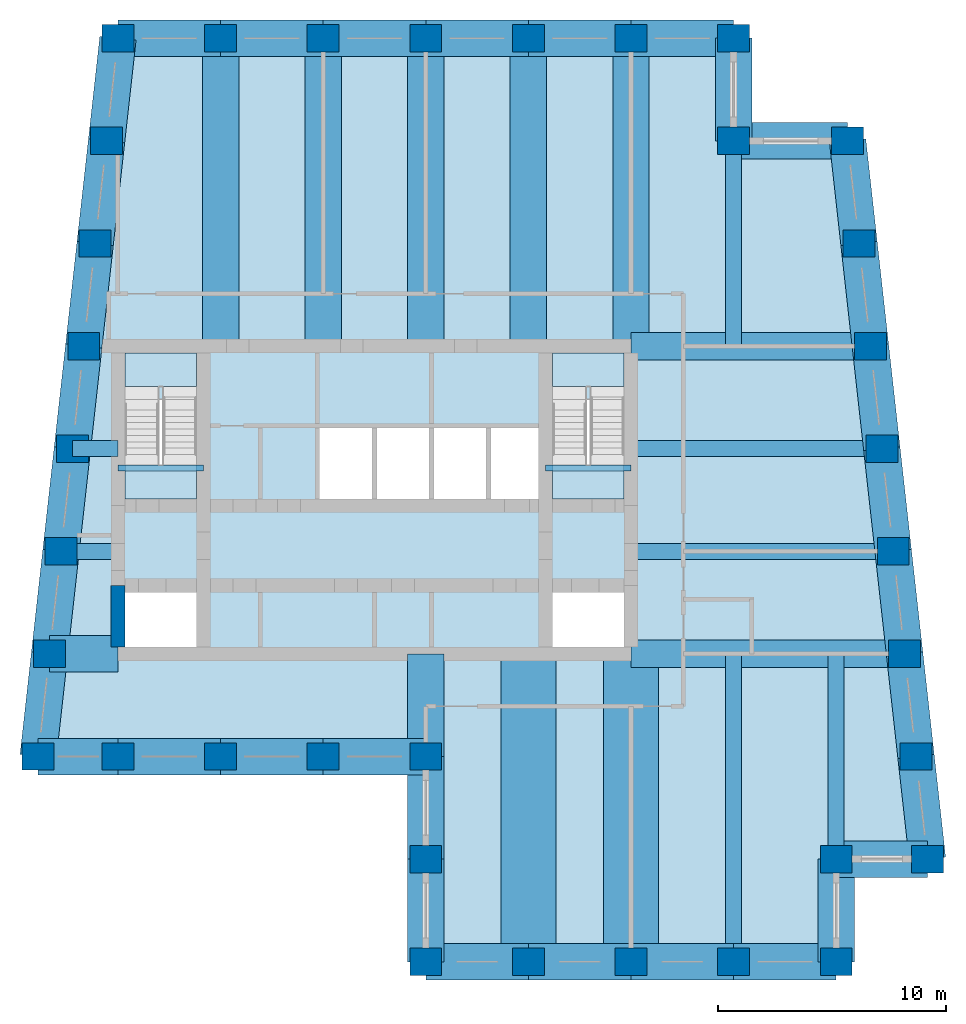
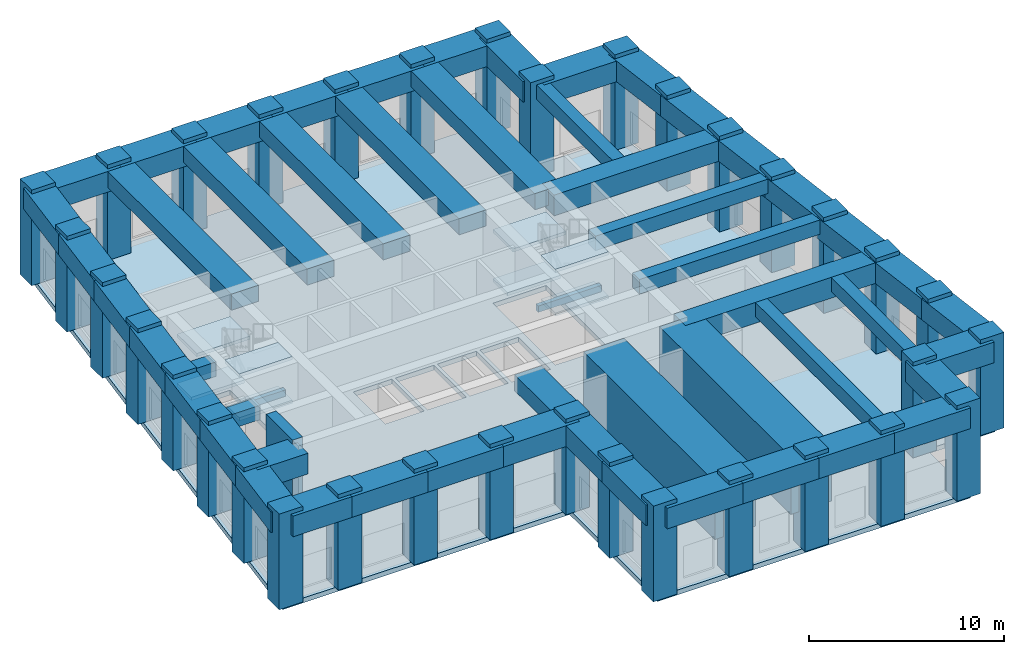
# One storey, part 1 of 7: 54 beams, 34 columns, 9 slabs, 1 wall, 2 elements without a shape of their own.
"""IFC4 building model written with IfcOpenShell, lengths in metres."""

from ifc_helpers import new_model, si_unit, direction, frame, frame_2d, origin, origin_2d, place, context, subcontext, project, spatial, polyline, rectangle, outline, extrude, material, layer, layer_set, material_profile, profile_set, type_object, element, aggregate, save


model = new_model("IFC4")

# Units and contexts
model_context = context("Model", 3, precision=1e-05, world=origin(), true_north=direction((0.0, 1.0)))
body_context = subcontext(model_context, "Body", "Model", "MODEL_VIEW")
ifc_project = project(units=[si_unit("LENGTHUNIT", "METRE"), si_unit("AREAUNIT", "SQUARE_METRE"), si_unit("VOLUMEUNIT", "CUBIC_METRE"), si_unit("PLANEANGLEUNIT", "RADIAN"), si_unit("MASSUNIT", "GRAM", prefix="KILO")], contexts=[model_context])

# Site, building, storey
site_placement = place(None, origin())
site = spatial("IfcSite", under=ifc_project, at=site_placement, CompositionType="ELEMENT")
building_placement = place(site_placement, origin())
building = spatial("IfcBuilding", under=site, at=building_placement, Name="Kilele Tower Hotel", CompositionType="ELEMENT")
storey_placement = place(building_placement, frame((0.0, 0.0, 244.699951171875)))
storey = spatial("IfcBuildingStorey", under=building, at=storey_placement, Name="L63", CompositionType="ELEMENT", Elevation=244.699951171875)

# Columns
ifc_material_1 = material(Name="Concrete C60/75", Category="concrete")
ifc_material_profile_1 = material_profile(ifc_material_1, rectangle(XDim=1.39990234375, YDim=1.199951171875, at=origin_2d()))
ifc_profile_set_1 = profile_set([ifc_material_profile_1], Name="Concrete C60/75")
column_type = type_object("IfcColumnType", Name="Tube column RC 1400x1200 C60/75", PredefinedType="COLUMN", material=ifc_profile_set_1)
for number, where, z_axis, x_axis, name in (
    (1, (10.0, 9.0, 0.0), (0.0, 0.0, 1.0), (1.0, 0.0, 0.0), "Column TC5 L63"),
    (2, (13.5, 9.0, 0.0), (0.0, 0.0, 1.0), (1.0, 0.0, 0.0), "Column TC5 L63"),
    (3, (18.0, 9.0, 0.0), (0.0, 0.0, 1.0), (1.0, 0.0, 0.0), "Column TC5 L63"),
    (4, (22.5, 9.0, 0.0), (0.0, 0.0, 1.0), (1.0, 0.0, 0.0), "Column TC5 L63"),
    (5, (27.0, 9.0, 0.0), (0.0, 0.0, 1.0), (1.0, 0.0, 0.0), "Column TC5 L63"),
    (6, (27.0, 4.5, 0.0), (0.0, 0.0, 1.0), (1.0, 0.0, 0.0), "Column TC5 L63"),
    (7, (27.0, 0.0, 0.0), (0.0, 0.0, 1.0), (1.0, 0.0, 0.0), "Column TC5 L63"),
    (8, (31.5, 0.0, 0.0), (0.0, 0.0, 1.0), (1.0, 0.0, 0.0), "Column TC5 L63"),
    (9, (36.0, 0.0, 0.0), (0.0, 0.0, 1.0), (1.0, 0.0, 0.0), "Column TC5 L63"),
    (10, (40.5, 0.0, 0.0), (0.0, 0.0, 1.0), (1.0, 0.0, 0.0), "Column TC5 L63"),
    (11, (45.0, 0.0, 0.0), (0.0, 0.0, 1.0), (1.0, 0.0, 0.0), "Column TC5 L63"),
    (12, (45.0, 4.5, 0.0), (0.0, 0.0, 1.0), (1.0, 0.0, 0.0), "Column TC5 L63"),
    (13, (49.0, 4.5, 0.0), (0.0, 0.0, 1.0), (1.0, 0.0, 0.0), "Column TC5 L63"),
    (14, (48.5, 9.0, 0.0), (0.0, 0.0, 1.0), (1.0, 0.0, 0.0), "Column TC5 L63"),
    (15, (48.0, 13.5, 0.0), (0.0, 0.0, 1.0), (1.0, 0.0, 0.0), "Column TC5 L63"),
    (16, (47.5, 18.0, 0.0), (0.0, 0.0, 1.0), (1.0, 0.0, 0.0), "Column TC5 L63"),
    (17, (47.0, 22.5, 0.0), (0.0, 0.0, 1.0), (1.0, 0.0, 0.0), "Column TC5 L63"),
    (18, (46.5, 27.0, 0.0), (0.0, 0.0, 1.0), (1.0, 0.0, 0.0), "Column TC5 L63"),
    (19, (46.0, 31.5, 0.0), (0.0, 0.0, 1.0), (1.0, 0.0, 0.0), "Column TC5 L63"),
    (20, (45.5, 36.0, 0.0), (0.0, 0.0, 1.0), (1.0, 0.0, 0.0), "Column TC5 L63"),
    (21, (40.5, 36.0, 0.0), (0.0, 0.0, 1.0), (1.0, 0.0, 0.0), "Column TC5 L63"),
    (22, (40.5, 40.5, 0.0), (0.0, 0.0, 1.0), (1.0, 0.0, 0.0), "Column TC5 L63"),
    (23, (36.0, 40.5, 0.0), (0.0, 0.0, 1.0), (1.0, 0.0, 0.0), "Column TC5 L63"),
    (24, (31.5, 40.5, 0.0), (0.0, 0.0, 1.0), (1.0, 0.0, 0.0), "Column TC5 L63"),
    (25, (27.0, 40.5, 0.0), (0.0, 0.0, 1.0), (1.0, 0.0, 0.0), "Column TC5 L63"),
    (26, (22.5, 40.5, 0.0), (0.0, 0.0, 1.0), (1.0, 0.0, 0.0), "Column TC5 L63"),
    (27, (18.0, 40.5, 0.0), (0.0, 0.0, 1.0), (1.0, 0.0, 0.0), "Column TC5 L63"),
    (28, (13.5, 40.5, 0.0), (0.0, 0.0, 1.0), (1.0, 0.0, 0.0), "Column TC5 L63"),
    (29, (13.0, 36.0, 0.0), (0.0, 0.0, 1.0), (1.0, 0.0, 0.0), "Column TC5 L63"),
    (30, (12.5, 31.5, 0.0), (0.0, 0.0, 1.0), (1.0, 0.0, 0.0), "Column TC5 L63"),
    (31, (12.0, 27.0, 0.0), (0.0, 0.0, 1.0), (1.0, 0.0, 0.0), "Column TC5 L63"),
    (32, (11.5, 22.5, 0.0), (0.0, 0.0, 1.0), (1.0, 0.0, 0.0), "Column TC5 L63"),
    (33, (11.0, 18.0, 0.0), (0.0, 0.0, 1.0), (1.0, 0.0, 0.0), "Column TC5 L63"),
    (34, (10.5, 13.5, 0.0), (0.0, 0.0, 1.0), (1.0, 0.0, 0.0), "Column TC5 L63"),
):
    element("IfcColumn", number, at=place(storey_placement, frame(where, z_axis=z_axis, x_axis=x_axis)), inside=storey, type_object=column_type, Name=name, PredefinedType="COLUMN", context=body_context, shape_type="SweptSolid", body=[
        extrude(rectangle(XDim=1.39990234375, YDim=1.199951171875, at=origin_2d()), origin(), (0.0, 0.0, 1.0), 6.0),
    ])

# Beams
ifc_material_2 = material(Name="Concrete C60/75", Category="concrete")
ifc_material_profile_2 = material_profile(ifc_material_2, rectangle(XDim=1.60009765625, YDim=1.0, at=origin_2d()))
ifc_profile_set_2 = profile_set([ifc_material_profile_2], Name="Concrete C60/75")
beam_type_1 = type_object("IfcBeamType", Name="Beam RC 1600x1000 C60/75", PredefinedType="BEAM", material=ifc_profile_set_2)
for number, where, z_axis, x_axis, name in (
    (35, (36.0, 40.5, 5.25), (0.0, -1.0, 0.0), (1.0, 0.0, 0.0), "Beam BC1 level L64"),
    (36, (31.5, 40.5, 5.25), (0.0, -1.0, 0.0), (1.0, 0.0, 0.0), "Beam BC1 level L64"),
    (37, (27.0, 40.5, 5.25), (0.0, -1.0, 0.0), (1.0, 0.0, 0.0), "Beam BC1 level L64"),
    (38, (22.5, 40.5, 5.25), (0.0, -1.0, 0.0), (1.0, 0.0, 0.0), "Beam BC1 level L64"),
    (39, (18.0, 40.5, 5.25), (0.0, -1.0, 0.0), (1.0, 0.0, 0.0), "Beam BC1 level L64"),
):
    element("IfcBeam", number, at=place(storey_placement, frame(where, z_axis=z_axis, x_axis=x_axis)), inside=storey, type_object=beam_type_1, Name=name, PredefinedType="BEAM", context=body_context, shape_type="SweptSolid", body=[
        extrude(rectangle(XDim=1.60009765625, YDim=1.0, at=origin_2d()), origin(), (0.0, 0.0, 1.0), 13.5),
    ])
ifc_material_3 = material(Name="Concrete C60/75", Category="concrete")
ifc_material_profile_3 = material_profile(ifc_material_3, rectangle(XDim=1.60009765625, YDim=1.0, at=origin_2d()))
ifc_profile_set_3 = profile_set([ifc_material_profile_3], Name="Concrete C60/75")
beam_type_2 = type_object("IfcBeamType", Name="Beam RC 1600x1000 C60/75 short span", PredefinedType="BEAM", material=ifc_profile_set_3)
beam_1_placement = place(storey_placement, frame((27.0, 9.0, 5.25), z_axis=(0.0, 1.0, 0.0), x_axis=(-1.0, 0.0, 0.0)))
element("IfcBeam", 40, at=beam_1_placement, inside=storey, type_object=beam_type_2, Name="Beam BC2 level L64", PredefinedType="BEAM", context=body_context, shape_type="SweptSolid", body=[
    extrude(rectangle(XDim=1.60009765625, YDim=1.0, at=origin_2d()), origin(), (0.0, 0.0, 1.0), 4.5),
])
ifc_material_4 = material(Name="Concrete C60/75", Category="concrete")
ifc_material_profile_4 = material_profile(ifc_material_4, rectangle(XDim=0.699951171875, YDim=0.89990234375, at=origin_2d()))
ifc_profile_set_4 = profile_set([ifc_material_profile_4], Name="Concrete C60/75")
beam_type_3 = type_object("IfcBeamType", Name="Beam RC 700x900 C60/75", PredefinedType="BEAM", material=ifc_profile_set_4)
beam_2_placement = place(storey_placement, frame((40.5, 0.0, 5.300048828125), z_axis=(0.0, 1.0, 0.0), x_axis=(-1.0, 0.0, 0.0)))
element("IfcBeam", 41, at=beam_2_placement, inside=storey, type_object=beam_type_3, Name="Beam B1 level L64", PredefinedType="BEAM", context=body_context, shape_type="SweptSolid", body=[
    extrude(rectangle(XDim=0.699951171875, YDim=0.89990234375, at=origin_2d()), origin(), (0.0, 0.0, 1.0), 13.5),
])
ifc_material_5 = material(Name="Concrete C60/75", Category="concrete")
ifc_material_profile_5 = material_profile(ifc_material_5, rectangle(XDim=0.699951171875, YDim=0.89990234375, at=origin_2d()))
ifc_profile_set_5 = profile_set([ifc_material_profile_5], Name="Concrete C60/75")
beam_type_4 = type_object("IfcBeamType", Name="Beam RC 700x900 C60/75 mid span", PredefinedType="BEAM", material=ifc_profile_set_5)
beam_3_placement = place(storey_placement, frame((45.0, 4.5, 5.300048828125), z_axis=(0.0, 1.0, 0.0), x_axis=(-1.0, 0.0, 0.0)))
element("IfcBeam", 42, at=beam_3_placement, inside=storey, type_object=beam_type_4, Name="Beam B2 level L64", PredefinedType="BEAM", context=body_context, shape_type="SweptSolid", body=[
    extrude(rectangle(XDim=0.699951171875, YDim=0.89990234375, at=origin_2d()), origin(), (0.0, 0.0, 1.0), 9.0),
])
beam_4_placement = place(storey_placement, frame((47.5, 18.0, 5.300048828125), z_axis=(-1.0, 0.0, 0.0), x_axis=(0.0, -1.0, 0.0)))
element("IfcBeam", 43, at=beam_4_placement, inside=storey, type_object=beam_type_4, Name="Beam B2 level L64", PredefinedType="BEAM", context=body_context, shape_type="SweptSolid", body=[
    extrude(rectangle(XDim=0.699951171875, YDim=0.89990234375, at=origin_2d()), origin(), (0.0, 0.0, 1.0), 11.5),
])
beam_5_placement = place(storey_placement, frame((47.0, 22.5, 5.300048828125), z_axis=(-1.0, 0.0, 0.0), x_axis=(0.0, -1.0, 0.0)))
element("IfcBeam", 44, at=beam_5_placement, inside=storey, type_object=beam_type_4, Name="Beam B2 level L64", PredefinedType="BEAM", context=body_context, shape_type="SweptSolid", body=[
    extrude(rectangle(XDim=0.699951171875, YDim=0.89990234375, at=origin_2d()), origin(), (0.0, 0.0, 1.0), 11.0),
])
beam_6_placement = place(storey_placement, frame((40.5, 36.0, 5.300048828125), z_axis=(0.0, -1.0, 0.0), x_axis=(1.0, 0.0, 0.0)))
element("IfcBeam", 45, at=beam_6_placement, inside=storey, type_object=beam_type_4, Name="Beam B2 level L64", PredefinedType="BEAM", context=body_context, shape_type="SweptSolid", body=[
    extrude(rectangle(XDim=0.699951171875, YDim=0.89990234375, at=origin_2d()), origin(), (0.0, 0.0, 1.0), 9.0),
])
ifc_material_6 = material(Name="Concrete C60/75", Category="concrete")
ifc_material_profile_6 = material_profile(ifc_material_6, rectangle(XDim=0.699951171875, YDim=0.89990234375, at=origin_2d()))
ifc_profile_set_6 = profile_set([ifc_material_profile_6], Name="Concrete C60/75")
beam_type_5 = type_object("IfcBeamType", Name="Beam RC 700x900 C60/75 short span", PredefinedType="BEAM", material=ifc_profile_set_6)
beam_7_placement = place(storey_placement, frame((11.5, 22.5, 5.300048828125), z_axis=(1.0, 0.0, 0.0), x_axis=(0.0, 1.0, 0.0)))
element("IfcBeam", 46, at=beam_7_placement, inside=storey, type_object=beam_type_5, Name="Beam B3 level L64", PredefinedType="BEAM", context=body_context, shape_type="SweptSolid", body=[
    extrude(rectangle(XDim=0.699951171875, YDim=0.89990234375, at=origin_2d()), origin(), (0.0, 0.0, 1.0), 2.0),
])
beam_8_placement = place(storey_placement, frame((11.0, 18.0, 5.300048828125), z_axis=(1.0, 0.0, 0.0), x_axis=(0.0, 1.0, 0.0)))
element("IfcBeam", 47, at=beam_8_placement, inside=storey, type_object=beam_type_5, Name="Beam B3 level L64", PredefinedType="BEAM", context=body_context, shape_type="SweptSolid", body=[
    extrude(rectangle(XDim=0.699951171875, YDim=0.89990234375, at=origin_2d()), origin(), (0.0, 0.0, 1.0), 2.5),
])
ifc_material_7 = material(Name="Concrete C60/75", Category="concrete")
ifc_material_profile_7 = material_profile(ifc_material_7, rectangle(XDim=1.60009765625, YDim=1.300048828125, at=origin_2d()))
ifc_profile_set_7 = profile_set([ifc_material_profile_7], Name="Concrete C60/75")
beam_type_6 = type_object("IfcBeamType", Name="Coupling girder RC 1600x1300 C60/75", PredefinedType="BEAM", material=ifc_profile_set_7)
beam_9_placement = place(storey_placement, frame((10.5, 13.5, 5.10009765625), z_axis=(1.0, 0.0, 0.0), x_axis=(0.0, 1.0, 0.0)))
element("IfcBeam", 48, at=beam_9_placement, inside=storey, type_object=beam_type_6, Name="Coupling girder G2 level L64", PredefinedType="BEAM", context=body_context, shape_type="SweptSolid", body=[
    extrude(rectangle(XDim=1.60009765625, YDim=1.300048828125, at=origin_2d()), origin(), (0.0, 0.0, 1.0), 3.0),
])
ifc_material_8 = material(Name="Concrete C60/75", Category="concrete")
ifc_material_profile_8 = material_profile(ifc_material_8, rectangle(XDim=1.199951171875, YDim=1.300048828125, at=origin_2d()))
ifc_profile_set_8 = profile_set([ifc_material_profile_8], Name="Concrete C60/75")
beam_type_7 = type_object("IfcBeamType", Name="Girder RC 1200x1300 C60/75", PredefinedType="BEAM", material=ifc_profile_set_8)
beam_10_placement = place(storey_placement, frame((48.0, 13.5, 5.10009765625), z_axis=(-1.0, 0.0, 0.0), x_axis=(0.0, -1.0, 0.0)))
element("IfcBeam", 49, at=beam_10_placement, inside=storey, type_object=beam_type_7, Name="Girder G1 level L64", PredefinedType="BEAM", context=body_context, shape_type="SweptSolid", body=[
    extrude(rectangle(XDim=1.199951171875, YDim=1.300048828125, at=origin_2d()), origin(), (0.0, 0.0, 1.0), 12.0),
])
ifc_material_9 = material(Name="Concrete C60/75", Category="concrete")
ifc_material_profile_9 = material_profile(ifc_material_9, rectangle(XDim=1.199951171875, YDim=1.300048828125, at=origin_2d()))
ifc_profile_set_9 = profile_set([ifc_material_profile_9], Name="Concrete C60/75")
beam_type_8 = type_object("IfcBeamType", Name="Girder RC 1200x1300 C60/75 mid span", PredefinedType="BEAM", material=ifc_profile_set_9)
beam_11_placement = place(storey_placement, frame((46.5, 27.0, 5.10009765625), z_axis=(-1.0, 0.0, 0.0), x_axis=(0.0, -1.0, 0.0)))
element("IfcBeam", 50, at=beam_11_placement, inside=storey, type_object=beam_type_8, Name="Girder G3 level L64", PredefinedType="BEAM", context=body_context, shape_type="SweptSolid", body=[
    extrude(rectangle(XDim=1.199951171875, YDim=1.300048828125, at=origin_2d()), origin(), (0.0, 0.0, 1.0), 10.5),
])
ifc_material_10 = material(Name="Concrete C40/50", Category="concrete")
ifc_material_profile_10 = material_profile(ifc_material_10, rectangle(XDim=0.25, YDim=0.39990234375, at=origin_2d()))
ifc_profile_set_10 = profile_set([ifc_material_profile_10], Name="Concrete C40/50")
beam_type_9 = type_object("IfcBeamType", Name="Landing beam RC 250x400 C40/50", PredefinedType="BEAM", material=ifc_profile_set_10)
for number, where, z_axis, x_axis, name in (
    (51, (13.5, 21.64990234375, 2.857177734375), (1.0, 0.0, 0.0), (0.0, 1.0, 0.0), "Landing beam ST1 L63"),
    (52, (32.25, 21.64990234375, 2.857177734375), (1.0, 0.0, 0.0), (0.0, 1.0, 0.0), "Landing beam ST2 L63"),
):
    element("IfcBeam", number, at=place(storey_placement, frame(where, z_axis=z_axis, x_axis=x_axis)), inside=storey, type_object=beam_type_9, Name=name, PredefinedType="BEAM", context=body_context, shape_type="SweptSolid", body=[
        extrude(rectangle(XDim=0.25, YDim=0.39990234375, at=origin_2d()), origin(), (0.0, 0.0, 1.0), 3.75),
    ])
ifc_material_11 = material(Name="Concrete C60/75", Category="concrete")
ifc_material_profile_11 = material_profile(ifc_material_11, rectangle(XDim=1.60009765625, YDim=1.300048828125, at=origin_2d()))
ifc_profile_set_11 = profile_set([ifc_material_profile_11], Name="Concrete C60/75")
beam_type_10 = type_object("IfcBeamType", Name="Spandrel RC 1600x1300 C60/75", PredefinedType="SPANDREL", material=ifc_profile_set_11)
beam_12_placement = place(storey_placement, frame((10.0, 9.0, 5.10009765625), z_axis=(1.0, 0.0, 0.0), x_axis=(0.0, 1.0, 0.0)))
element("IfcBeam", 53, at=beam_12_placement, inside=storey, type_object=beam_type_10, Name="Spandrel SP13 level L64", PredefinedType="SPANDREL", context=body_context, shape_type="SweptSolid", body=[
    extrude(rectangle(XDim=1.60009765625, YDim=1.300048828125, at=origin_2d()), origin(), (0.0, 0.0, 1.0), 3.5),
])
for number, where, z_axis, x_axis, name in (
    (54, (13.5, 9.0, 5.10009765625), (1.0, 0.0, 0.0), (0.0, 1.0, 0.0), "Spandrel SP13 level L64"),
    (55, (18.0, 9.0, 5.10009765625), (1.0, 0.0, 0.0), (0.0, 1.0, 0.0), "Spandrel SP13 level L64"),
    (56, (22.5, 9.0, 5.10009765625), (1.0, 0.0, 0.0), (0.0, 1.0, 0.0), "Spandrel SP13 level L64"),
    (57, (27.0, 9.0, 5.10009765625), (0.0, -1.0, 0.0), (1.0, 0.0, 0.0), "Spandrel SP13 level L64"),
    (58, (27.0, 4.5, 5.10009765625), (0.0, -1.0, 0.0), (1.0, 0.0, 0.0), "Spandrel SP13 level L64"),
    (59, (27.0, 0.0, 5.10009765625), (1.0, 0.0, 0.0), (0.0, 1.0, 0.0), "Spandrel SP13 level L64"),
    (60, (31.5, 0.0, 5.10009765625), (1.0, 0.0, 0.0), (0.0, 1.0, 0.0), "Spandrel SP13 level L64"),
    (61, (36.0, 0.0, 5.10009765625), (1.0, 0.0, 0.0), (0.0, 1.0, 0.0), "Spandrel SP13 level L64"),
    (62, (40.5, 0.0, 5.10009765625), (1.0, 0.0, 0.0), (0.0, 1.0, 0.0), "Spandrel SP13 level L64"),
    (63, (45.0, 0.0, 5.10009765625), (0.0, 1.0, 0.0), (-1.0, 0.0, 0.0), "Spandrel SP13 level L64"),
):
    element("IfcBeam", number, at=place(storey_placement, frame(where, z_axis=z_axis, x_axis=x_axis)), inside=storey, type_object=beam_type_10, Name=name, PredefinedType="SPANDREL", context=body_context, shape_type="SweptSolid", body=[
        extrude(rectangle(XDim=1.60009765625, YDim=1.300048828125, at=origin_2d()), origin(), (0.0, 0.0, 1.0), 4.5),
    ])
beam_13_placement = place(storey_placement, frame((45.0, 4.5, 5.10009765625), z_axis=(1.0, 0.0, 0.0), x_axis=(0.0, 1.0, 0.0)))
element("IfcBeam", 64, at=beam_13_placement, inside=storey, type_object=beam_type_10, Name="Spandrel SP13 level L64", PredefinedType="SPANDREL", context=body_context, shape_type="SweptSolid", body=[
    extrude(rectangle(XDim=1.60009765625, YDim=1.300048828125, at=origin_2d()), origin(), (0.0, 0.0, 1.0), 4.0),
])
for number, where, z_axis, x_axis, name in (
    (65, (49.0, 4.5, 5.10009765625), (-0.110431526075, 0.993883734674, 0.0), (-0.993883734674, -0.110431526075, 0.0), "Spandrel SP13 level L64"),
    (66, (48.5, 9.0, 5.10009765625), (-0.110431526075, 0.993883734674, 0.0), (-0.993883734674, -0.110431526075, 0.0), "Spandrel SP13 level L64"),
    (67, (48.0, 13.5, 5.10009765625), (-0.110431526075, 0.993883734674, 0.0), (-0.993883734674, -0.110431526075, 0.0), "Spandrel SP13 level L64"),
    (68, (47.5, 18.0, 5.10009765625), (-0.110431526075, 0.993883734674, 0.0), (-0.993883734674, -0.110431526075, 0.0), "Spandrel SP13 level L64"),
    (69, (47.0, 22.5, 5.10009765625), (-0.110431526075, 0.993883734674, 0.0), (-0.993883734674, -0.110431526075, 0.0), "Spandrel SP13 level L64"),
    (70, (46.5, 27.0, 5.10009765625), (-0.110431526075, 0.993883734674, 0.0), (-0.993883734674, -0.110431526075, 0.0), "Spandrel SP13 level L64"),
    (71, (46.0, 31.5, 5.10009765625), (-0.110431526075, 0.993883734674, 0.0), (-0.993883734674, -0.110431526075, 0.0), "Spandrel SP13 level L64"),
):
    element("IfcBeam", number, at=place(storey_placement, frame(where, z_axis=z_axis, x_axis=x_axis)), inside=storey, type_object=beam_type_10, Name=name, PredefinedType="SPANDREL", context=body_context, shape_type="SweptSolid", body=[
        extrude(rectangle(XDim=1.60009765625, YDim=1.300048828125, at=origin_2d()), origin(), (0.0, 0.0, 1.0), 4.527587890625),
    ])
beam_14_placement = place(storey_placement, frame((45.5, 36.0, 5.10009765625), z_axis=(-1.0, 0.0, 0.0), x_axis=(0.0, -1.0, 0.0)))
element("IfcBeam", 72, at=beam_14_placement, inside=storey, type_object=beam_type_10, Name="Spandrel SP13 level L64", PredefinedType="SPANDREL", context=body_context, shape_type="SweptSolid", body=[
    extrude(rectangle(XDim=1.60009765625, YDim=1.300048828125, at=origin_2d()), origin(), (0.0, 0.0, 1.0), 5.0),
])
for number, where, z_axis, x_axis, name in (
    (73, (40.5, 36.0, 5.10009765625), (0.0, 1.0, 0.0), (-1.0, 0.0, 0.0), "Spandrel SP13 level L64"),
    (74, (40.5, 40.5, 5.10009765625), (-1.0, 0.0, 0.0), (0.0, -1.0, 0.0), "Spandrel SP13 level L64"),
    (75, (36.0, 40.5, 5.10009765625), (-1.0, 0.0, 0.0), (0.0, -1.0, 0.0), "Spandrel SP13 level L64"),
    (76, (31.5, 40.5, 5.10009765625), (-1.0, 0.0, 0.0), (0.0, -1.0, 0.0), "Spandrel SP13 level L64"),
    (77, (27.0, 40.5, 5.10009765625), (-1.0, 0.0, 0.0), (0.0, -1.0, 0.0), "Spandrel SP13 level L64"),
    (78, (22.5, 40.5, 5.10009765625), (-1.0, 0.0, 0.0), (0.0, -1.0, 0.0), "Spandrel SP13 level L64"),
    (79, (18.0, 40.5, 5.10009765625), (-1.0, 0.0, 0.0), (0.0, -1.0, 0.0), "Spandrel SP13 level L64"),
):
    element("IfcBeam", number, at=place(storey_placement, frame(where, z_axis=z_axis, x_axis=x_axis)), inside=storey, type_object=beam_type_10, Name=name, PredefinedType="SPANDREL", context=body_context, shape_type="SweptSolid", body=[
        extrude(rectangle(XDim=1.60009765625, YDim=1.300048828125, at=origin_2d()), origin(), (0.0, 0.0, 1.0), 4.5),
    ])
for number, where, z_axis, x_axis, name in (
    (80, (13.5, 40.5, 5.10009765625), (-0.110431526075, -0.993883734674, 0.0), (0.993883734674, -0.110431526075, 0.0), "Spandrel SP13 level L64"),
    (81, (13.0, 36.0, 5.10009765625), (-0.110431526075, -0.993883734674, 0.0), (0.993883734674, -0.110431526075, 0.0), "Spandrel SP13 level L64"),
    (82, (12.5, 31.5, 5.10009765625), (-0.110431526075, -0.993883734674, 0.0), (0.993883734674, -0.110431526075, 0.0), "Spandrel SP13 level L64"),
    (83, (12.0, 27.0, 5.10009765625), (-0.110431526075, -0.993883734674, 0.0), (0.993883734674, -0.110431526075, 0.0), "Spandrel SP13 level L64"),
    (84, (11.5, 22.5, 5.10009765625), (-0.110431526075, -0.993883734674, 0.0), (0.993883734674, -0.110431526075, 0.0), "Spandrel SP13 level L64"),
    (85, (11.0, 18.0, 5.10009765625), (-0.110431526075, -0.993883734674, 0.0), (0.993883734674, -0.110431526075, 0.0), "Spandrel SP13 level L64"),
    (86, (10.5, 13.5, 5.10009765625), (-0.110431526075, -0.993883734674, 0.0), (0.993883734674, -0.110431526075, 0.0), "Spandrel SP13 level L64"),
):
    element("IfcBeam", number, at=place(storey_placement, frame(where, z_axis=z_axis, x_axis=x_axis)), inside=storey, type_object=beam_type_10, Name=name, PredefinedType="SPANDREL", context=body_context, shape_type="SweptSolid", body=[
        extrude(rectangle(XDim=1.60009765625, YDim=1.300048828125, at=origin_2d()), origin(), (0.0, 0.0, 1.0), 4.527587890625),
    ])
ifc_material_12 = material(Name="Concrete C60/75", Category="concrete")
ifc_material_profile_12 = material_profile(ifc_material_12, rectangle(XDim=2.39990234375, YDim=3.60009765625, at=origin_2d()))
ifc_profile_set_12 = profile_set([ifc_material_profile_12], Name="Concrete C60/75")
beam_type_11 = type_object("IfcBeamType", Name="Transfer girder RC 2400x3600 C60/75", PredefinedType="USERDEFINED", material=ifc_profile_set_12)
for number, where, z_axis, x_axis, name in (
    (87, (31.5, 0.0, 3.949951171875), (0.0, 1.0, 0.0), (-1.0, 0.0, 0.0), "Transfer girder TG4 level L64"),
    (88, (36.0, 0.0, 3.949951171875), (0.0, 1.0, 0.0), (-1.0, 0.0, 0.0), "Transfer girder TG4 level L64"),
):
    element("IfcBeam", number, at=place(storey_placement, frame(where, z_axis=z_axis, x_axis=x_axis)), inside=storey, type_object=beam_type_11, Name=name, ObjectType="TRANSFER GIRDER", PredefinedType="USERDEFINED", context=body_context, shape_type="SweptSolid", body=[
        extrude(rectangle(XDim=2.39990234375, YDim=3.60009765625, at=origin_2d()), origin(), (0.0, 0.0, 1.0), 13.5),
    ])

# Slab
ifc_material_13 = material(Name="Concrete C60/75", Category="concrete")
ifc_layer_1 = layer(ifc_material_13, 0.300048828125)
ifc_layer_set_1 = layer_set([ifc_layer_1], Name="Concrete C60/75")
slab_type_1 = type_object("IfcSlabType", Name="Floor slab 300", PredefinedType="FLOOR", material=ifc_layer_set_1)
slab_1_placement = place(storey_placement, frame((0.0, 0.0, -0.300048828125)))
element("IfcSlab", 89, at=slab_1_placement, inside=storey, type_object=slab_type_1, Name="Floor slab L63", PredefinedType="FLOOR", context=body_context, shape_type="SweptSolid", body=[
    extrude(outline(polyline([(40.800048828125, 40.800048828125), (40.800048828125, 36.300048828125), (45.7685546875, 36.300048828125), (49.335205078125, 4.199951171875), (45.300048828125, 4.199951171875), (45.300048828125, -0.300048828125), (26.699951171875, -0.300048828125), (26.699951171875, 8.699951171875), (9.664794921875, 8.699951171875), (13.2314453125, 40.800048828125), (40.800048828125, 40.800048828125)]), holes=[polyline([(16.949951171875, 16.199951171875), (13.800048828125, 16.199951171875), (13.800048828125, 13.800048828125), (16.949951171875, 13.800048828125), (16.949951171875, 16.199951171875)]), polyline([(35.699951171875, 16.199951171875), (32.550048828125, 16.199951171875), (32.550048828125, 13.800048828125), (35.699951171875, 13.800048828125), (35.699951171875, 16.199951171875)]), polyline([(24.64990234375, 23.39990234375), (22.35009765625, 23.39990234375), (22.35009765625, 20.10009765625), (24.64990234375, 20.10009765625), (24.64990234375, 23.39990234375)]), polyline([(27.14990234375, 23.39990234375), (24.85009765625, 23.39990234375), (24.85009765625, 20.10009765625), (27.14990234375, 20.10009765625), (27.14990234375, 23.39990234375)]), polyline([(29.64990234375, 23.39990234375), (27.35009765625, 23.39990234375), (27.35009765625, 20.10009765625), (29.64990234375, 20.10009765625), (29.64990234375, 23.39990234375)]), polyline([(32.14990234375, 23.39990234375), (29.85009765625, 23.39990234375), (29.85009765625, 20.10009765625), (32.14990234375, 20.10009765625), (32.14990234375, 23.39990234375)]), polyline([(16.949951171875, 26.699951171875), (13.800048828125, 26.699951171875), (13.800048828125, 20.300048828125), (16.949951171875, 20.300048828125), (16.949951171875, 26.699951171875)]), polyline([(35.699951171875, 26.699951171875), (32.550048828125, 26.699951171875), (32.550048828125, 20.300048828125), (35.699951171875, 20.300048828125), (35.699951171875, 26.699951171875)])]), origin(), (0.0, 0.0, 1.0), 0.300048828125),
])

# Stair, slabs
ifc_material_14 = material(Name="Precast concrete C40/50", Category="concrete")
stair_type = type_object("IfcStairType", Name="Stair 1475 x 6000", PredefinedType="HALF_TURN_STAIR", material=ifc_material_14)
stair_1_placement = place(storey_placement, origin())
stair_1 = element("IfcStair", 90, at=stair_1_placement, inside=storey, type_object=stair_type, Name="Stair 1 L63", PredefinedType="HALF_TURN_STAIR")
ifc_material_15 = material(Name="Precast concrete C40/50", Category="concrete")
ifc_layer_2 = layer(ifc_material_15, 0.199951171875)
ifc_layer_set_2 = layer_set([ifc_layer_2], Name="Precast concrete C40/50")
slab_type_2 = type_object("IfcSlabType", Name="Stair landing 200", PredefinedType="LANDING", material=ifc_layer_set_2)
slab_2_placement = place(storey_placement, frame((0.0, 0.0, 1.343017578125)))
slab_2 = element("IfcSlab", 91, at=slab_2_placement, type_object=slab_type_2, Name="ST1 landing 1", PredefinedType="LANDING", context=body_context, shape_type="SweptSolid", body=[
    extrude(outline(polyline([(13.800048828125, 25.22509765625), (16.949951171875, 25.22509765625), (16.949951171875, 26.699951171875), (13.800048828125, 26.699951171875), (13.800048828125, 25.22509765625)])), origin(), (0.0, 0.0, 1.0), 0.199951171875),
])
slab_3_placement = place(storey_placement, frame((0.0, 0.0, 3.05712890625)))
slab_3 = element("IfcSlab", 92, at=slab_3_placement, type_object=slab_type_2, Name="ST1 landing 2", PredefinedType="LANDING", context=body_context, shape_type="SweptSolid", body=[
    extrude(outline(polyline([(13.800048828125, 20.300048828125), (16.949951171875, 20.300048828125), (16.949951171875, 21.77490234375), (13.800048828125, 21.77490234375), (13.800048828125, 20.300048828125)])), origin(), (0.0, 0.0, 1.0), 0.199951171875),
])
slab_4_placement = place(storey_placement, frame((0.0, 0.0, 4.4287109375)))
slab_4 = element("IfcSlab", 93, at=slab_4_placement, type_object=slab_type_2, Name="ST1 landing 3", PredefinedType="LANDING", context=body_context, shape_type="SweptSolid", body=[
    extrude(outline(polyline([(13.800048828125, 24.6650390625), (16.949951171875, 24.6650390625), (16.949951171875, 26.699951171875), (13.800048828125, 26.699951171875), (13.800048828125, 24.6650390625)])), origin(), (0.0, 0.0, 1.0), 0.199951171875),
])
slab_5_placement = place(storey_placement, frame((0.0, 0.0, 5.800048828125)))
slab_5 = element("IfcSlab", 94, at=slab_5_placement, type_object=slab_type_2, Name="ST1 landing 4", PredefinedType="LANDING", context=body_context, shape_type="SweptSolid", body=[
    extrude(outline(polyline([(13.800048828125, 20.300048828125), (16.949951171875, 20.300048828125), (16.949951171875, 21.77490234375), (13.800048828125, 21.77490234375), (13.800048828125, 20.300048828125)])), origin(), (0.0, 0.0, 1.0), 0.199951171875),
])
aggregate(stair_1, [slab_2, slab_3, slab_4, slab_5])

stair_2_placement = place(storey_placement, origin())
stair_2 = element("IfcStair", 95, at=stair_2_placement, inside=storey, type_object=stair_type, Name="Stair 2 L63", PredefinedType="HALF_TURN_STAIR")
slab_6_placement = place(storey_placement, frame((0.0, 0.0, 1.343017578125)))
slab_6 = element("IfcSlab", 96, at=slab_6_placement, type_object=slab_type_2, Name="ST2 landing 1", PredefinedType="LANDING", context=body_context, shape_type="SweptSolid", body=[
    extrude(outline(polyline([(32.550048828125, 25.22509765625), (35.699951171875, 25.22509765625), (35.699951171875, 26.699951171875), (32.550048828125, 26.699951171875), (32.550048828125, 25.22509765625)])), origin(), (0.0, 0.0, 1.0), 0.199951171875),
])
slab_7_placement = place(storey_placement, frame((0.0, 0.0, 3.05712890625)))
slab_7 = element("IfcSlab", 97, at=slab_7_placement, type_object=slab_type_2, Name="ST2 landing 2", PredefinedType="LANDING", context=body_context, shape_type="SweptSolid", body=[
    extrude(outline(polyline([(32.550048828125, 20.300048828125), (35.699951171875, 20.300048828125), (35.699951171875, 21.77490234375), (32.550048828125, 21.77490234375), (32.550048828125, 20.300048828125)])), origin(), (0.0, 0.0, 1.0), 0.199951171875),
])
slab_8_placement = place(storey_placement, frame((0.0, 0.0, 4.4287109375)))
slab_8 = element("IfcSlab", 98, at=slab_8_placement, type_object=slab_type_2, Name="ST2 landing 3", PredefinedType="LANDING", context=body_context, shape_type="SweptSolid", body=[
    extrude(outline(polyline([(32.550048828125, 24.6650390625), (35.699951171875, 24.6650390625), (35.699951171875, 26.699951171875), (32.550048828125, 26.699951171875), (32.550048828125, 24.6650390625)])), origin(), (0.0, 0.0, 1.0), 0.199951171875),
])
slab_9_placement = place(storey_placement, frame((0.0, 0.0, 5.800048828125)))
slab_9 = element("IfcSlab", 99, at=slab_9_placement, type_object=slab_type_2, Name="ST2 landing 4", PredefinedType="LANDING", context=body_context, shape_type="SweptSolid", body=[
    extrude(outline(polyline([(32.550048828125, 20.300048828125), (35.699951171875, 20.300048828125), (35.699951171875, 21.77490234375), (32.550048828125, 21.77490234375), (32.550048828125, 20.300048828125)])), origin(), (0.0, 0.0, 1.0), 0.199951171875),
])
aggregate(stair_2, [slab_6, slab_7, slab_8, slab_9])

# Wall
ifc_material_16 = material(Name="Concrete C60/75", Category="concrete")
ifc_layer_3 = layer(ifc_material_16, 0.60009765625)
ifc_layer_set_3 = layer_set([ifc_layer_3], Name="Concrete C60/75")
wall_type = type_object("IfcWallType", Name="Core wall 600 C60/75", PredefinedType="SHEAR", material=ifc_layer_set_3)
wall_placement = place(storey_placement, frame((13.5, 16.5, 0.0), z_axis=(0.0, 0.0, 1.0), x_axis=(0.0, -1.0, 0.0)))
element("IfcWall", 100, at=wall_placement, inside=storey, type_object=wall_type, Name="Core wall W3 L63", PredefinedType="SHEAR", context=body_context, shape_type="SweptSolid", body=[
    extrude(rectangle(XDim=2.699951171875, YDim=0.60009765625, at=frame_2d((1.35009765625, 0.0))), origin(), (0.0, 0.0, 1.0), 6.0),
])

save(model, "model.ifc")
